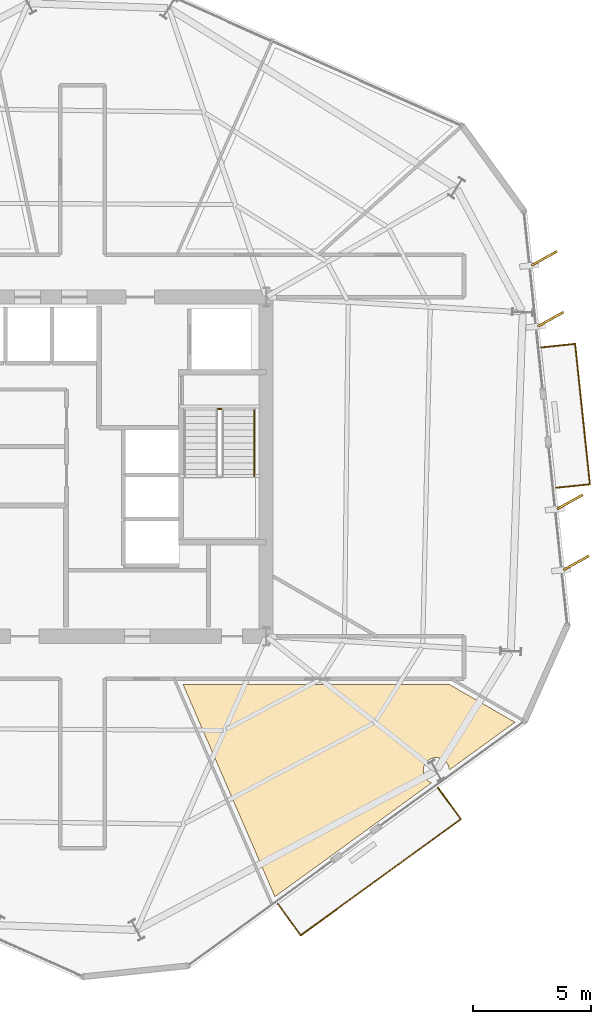
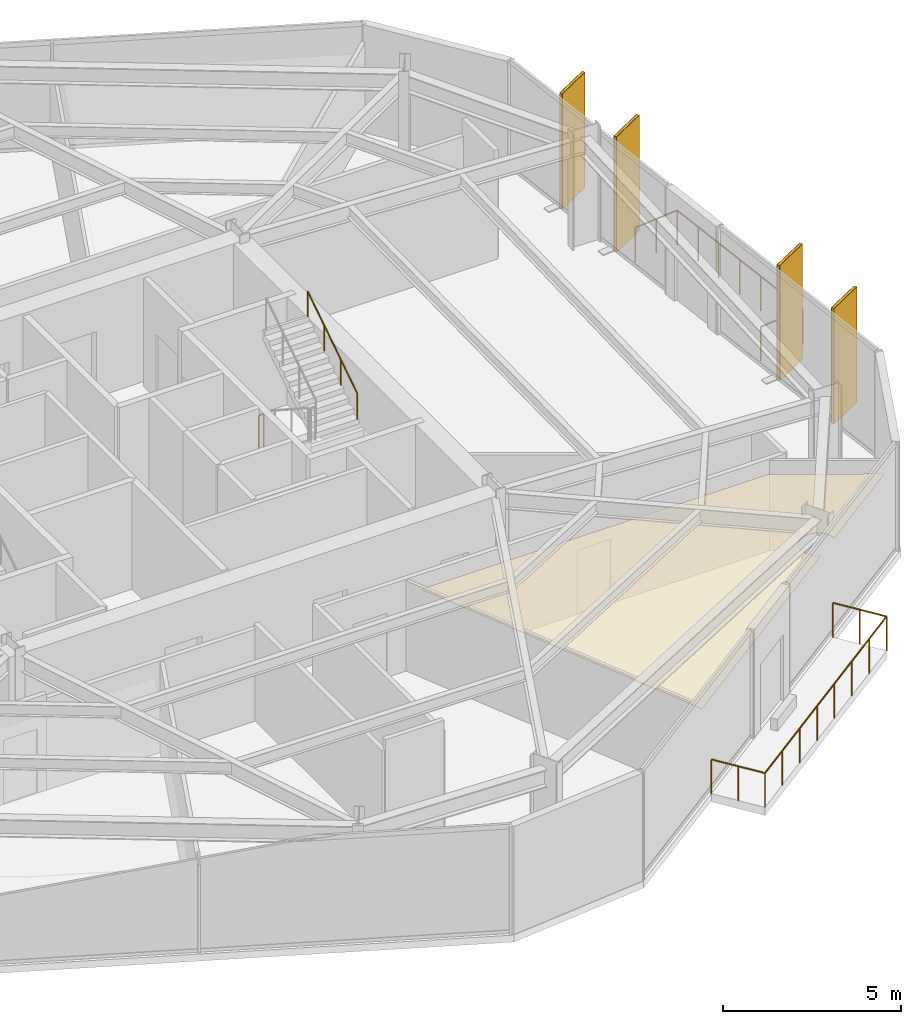
# One storey, part 11 of 12: 5 coverings, 4 railings, 4 shading devices.
"""IFC4 building model written with IfcOpenShell, lengths in metres."""

import ifcopenshell
import ifcopenshell.guid

model = None  # the IFC model being written
_history = None  # IfcOwnerHistory: only IFC2X3 demands one
_inside = {}  # id of a spatial element -> (the spatial element, [elements in it])
_under = {}  # id of a project, library or spatial element -> (it, [spatial elements below it])
_declared = {}  # id of a project -> (the project, [libraries it declares])
_typed = {}  # id of a type object -> (the type object, [elements of that type])
_made_of = {}  # id of a material, layer set ... -> (it, [elements and type objects made of it])


def new_model(schema):
    """Start an empty IFC model of exactly this schema.

    Asked for "IFC4X3", IfcOpenShell would pick the latest addendum, in which some entities
    have other attributes; the version numbers below select the first issue.
    IFC2X3 requires an IfcOwnerHistory on every rooted entity: one is made here for all.
    """
    global model, _history
    if schema == "IFC4X3":
        model = ifcopenshell.file(schema_version=(4, 3, 0, 0))
    else:
        model = ifcopenshell.file(schema=schema)
    _inside.clear()
    _under.clear()
    _declared.clear()
    _typed.clear()
    _made_of.clear()
    _history = None
    if model.schema == "IFC2X3":
        org = make("IfcOrganization", Name="unknown")
        user = make(
            "IfcPersonAndOrganization",
            ThePerson=make("IfcPerson", FamilyName="unknown"),
            TheOrganization=org,
        )
        app = make(
            "IfcApplication",
            ApplicationDeveloper=org,
            Version="unknown",
            ApplicationFullName="unknown",
            ApplicationIdentifier="unknown",
        )
        _history = make(
            "IfcOwnerHistory",
            OwningUser=user,
            OwningApplication=app,
            ChangeAction="ADDED",
            CreationDate=0,
        )
    return model


def make(cls, **values):
    """One entity of the class cls with the attributes given. An attribute that is None is left unset."""
    return model.create_entity(
        cls, **{name: value for name, value in values.items() if value is not None}
    )


def rooted(cls, **values):
    """An entity with a GlobalId (a new one), such as an element, a storey or a relation."""
    return make(cls, GlobalId=ifcopenshell.guid.new(), OwnerHistory=_history, **values)


def si_unit(unit_type, name, prefix=None):
    """IfcSIUnit, for example si_unit("LENGTHUNIT", "METRE", prefix="MILLI")."""
    return make("IfcSIUnit", UnitType=unit_type, Prefix=prefix, Name=name)


def assignment(units):
    """IfcUnitAssignment: the units of a project."""
    return None if units is None else make("IfcUnitAssignment", Units=units)


def point(xyz):
    """IfcCartesianPoint."""
    return None if xyz is None else make("IfcCartesianPoint", Coordinates=xyz)


def direction(xyz):
    """IfcDirection."""
    return None if xyz is None else make("IfcDirection", DirectionRatios=xyz)


def frame(location, z_axis=None, x_axis=None):
    """IfcAxis2Placement3D, a coordinate frame: its origin and axes. An axis left out is left unset."""
    return make(
        "IfcAxis2Placement3D",
        Location=point(location),
        Axis=direction(z_axis),
        RefDirection=direction(x_axis),
    )


def frame_2d(location, x_axis=None):
    """IfcAxis2Placement2D, a coordinate frame in the plane: its origin and x axis."""
    return make(
        "IfcAxis2Placement2D", Location=point(location), RefDirection=direction(x_axis)
    )


def origin():
    """The frame at (0, 0, 0) with its axes left unset."""
    return frame((0.0, 0.0, 0.0))


def origin_2d():
    """The frame at (0, 0) in the plane with its x axis left unset."""
    return frame_2d((0.0, 0.0))


def place(relative_to, where):
    """IfcLocalPlacement: puts the frame where relative to a parent placement (None: the world)."""
    return make(
        "IfcLocalPlacement", PlacementRelTo=relative_to, RelativePlacement=where
    )


def context(
    kind, dimensions, precision=None, world=None, true_north=None, identifier=None
):
    """IfcGeometricRepresentationContext, for example the 3D "Model" context."""
    return make(
        "IfcGeometricRepresentationContext",
        ContextIdentifier=identifier,
        ContextType=kind,
        CoordinateSpaceDimension=dimensions,
        Precision=precision,
        WorldCoordinateSystem=world,
        TrueNorth=true_north,
    )


def subcontext(parent, identifier, kind, view, scale=None):
    """IfcGeometricRepresentationSubContext, for example "Body" below "Model"."""
    return make(
        "IfcGeometricRepresentationSubContext",
        ContextIdentifier=identifier,
        ContextType=kind,
        ParentContext=parent,
        TargetScale=scale,
        TargetView=view,
    )


def project(units=None, contexts=None):
    """IfcProject with its units and contexts."""
    return rooted(
        "IfcProject",
        Name="project",
        RepresentationContexts=contexts,
        UnitsInContext=assignment(units),
    )


def spatial(cls, under=None, at=None, **own):
    """A site, building, storey or space (cls), placed at a placement, below another one or the project."""
    s = rooted(cls, ObjectPlacement=at, **own)
    if under is not None:
        _under.setdefault(under.id(), (under, []))[1].append(s)
    return s


def polyline(points):
    """IfcPolyline through the points."""
    return make("IfcPolyline", Points=[point(p) for p in points])


def profile(cls, at=None, kind="AREA", **sizes):
    """A parametric profile (cls). Its sizes go by their IFC names, for example OverallWidth=200.0."""
    return make(cls, ProfileType=kind, Position=at, **sizes)


def rectangle(**sizes):
    """IfcRectangleProfileDef."""
    return profile("IfcRectangleProfileDef", **sizes)


def circle(**sizes):
    """IfcCircleProfileDef."""
    return profile("IfcCircleProfileDef", **sizes)


def outline(outer, holes=None, kind="AREA"):
    """IfcArbitraryClosedProfileDef: a profile drawn as a closed curve; with holes, ...WithVoids."""
    if holes is None:
        return make("IfcArbitraryClosedProfileDef", ProfileType=kind, OuterCurve=outer)
    return make(
        "IfcArbitraryProfileDefWithVoids",
        ProfileType=kind,
        OuterCurve=outer,
        InnerCurves=holes,
    )


def extrude(swept, where, along, depth):
    """IfcExtrudedAreaSolid: the profile swept, set in the frame where, extruded along a direction by depth."""
    return make(
        "IfcExtrudedAreaSolid",
        SweptArea=swept,
        Position=where,
        ExtrudedDirection=direction(along),
        Depth=depth,
    )


def shape(context_of_items, identifier, shape_type, items):
    """IfcShapeRepresentation: the items that make up one representation, for example the "Body"."""
    return make(
        "IfcShapeRepresentation",
        ContextOfItems=context_of_items,
        RepresentationIdentifier=identifier,
        RepresentationType=shape_type,
        Items=items,
    )


def material(Name=None, Category=None):
    """IfcMaterial."""
    return make("IfcMaterial", Name=Name, Category=Category)


def layer(
    of_material, thickness, ventilated=None, Name=None, Category=None, Priority=None
):
    """IfcMaterialLayer: one layer of a wall or slab, of a material (None: an air gap)."""
    return make(
        "IfcMaterialLayer",
        Material=of_material,
        LayerThickness=thickness,
        IsVentilated=ventilated,
        Name=Name,
        Category=Category,
        Priority=Priority,
    )


def layer_set(layers, Name=None):
    """IfcMaterialLayerSet."""
    return make("IfcMaterialLayerSet", MaterialLayers=layers, LayerSetName=Name)


def made_of(thing, what):
    """Note that an element or type object is made of a material, layer set ...; save() writes the relation."""
    if what is not None:
        _made_of.setdefault(what.id(), (what, []))[1].append(thing)
    return thing


def type_object(cls, material=None, **own):
    """A type object (cls), such as IfcWallType, which elements share."""
    return made_of(rooted(cls, **own), material)


def element(
    cls,
    number,
    at=None,
    inside=None,
    cuts=None,
    type_object=None,
    material=None,
    context=None,
    identifier="Body",
    shape_type=None,
    held_by="IfcProductDefinitionShape",
    body=None,
    shapes=None,
    **own,
):
    """One element of the class cls, such as IfcWall. Its Tag is "e" and its number.

    at: its placement. inside: the storey or other place that contains it. cuts: it is an
    opening in that element (IfcRelVoidsElement). A single representation is given by context,
    identifier, shape_type and body (its items); several are given by shapes. held_by: the class
    of the entity that holds the representations. save() writes the other relations.
    """
    e = rooted(cls, Tag="e%d" % number, ObjectPlacement=at, **own)
    if body is not None:
        shapes = [shape(context, identifier, shape_type, body)]
    if shapes is not None:
        e.Representation = make(held_by, Representations=shapes)
    if inside is not None:
        _inside.setdefault(inside.id(), (inside, []))[1].append(e)
    if cuts is not None:
        rooted(
            "IfcRelVoidsElement", RelatingBuildingElement=cuts, RelatedOpeningElement=e
        )
    if type_object is not None:
        _typed.setdefault(type_object.id(), (type_object, []))[1].append(e)
    return made_of(e, material)


def aggregate(whole, parts):
    """IfcRelAggregates: a whole, such as a stair, and the parts it consists of."""
    return rooted("IfcRelAggregates", RelatingObject=whole, RelatedObjects=parts)


def save(model, path):
    """Write the relations noted so far, then the file.

    IfcRelAggregates (storeys below a building ...), IfcRelContainedInSpatialStructure (elements
    in a storey), IfcRelDefinesByType, IfcRelAssociatesMaterial and IfcRelDeclares: one each for
    every whole, place, type object, material and project.
    """
    for whole, parts in _under.values():
        aggregate(whole, parts)
    for where, things in _inside.values():
        rooted(
            "IfcRelContainedInSpatialStructure",
            RelatedElements=things,
            RelatingStructure=where,
        )
    for kind, things in _typed.values():
        rooted("IfcRelDefinesByType", RelatedObjects=things, RelatingType=kind)
    for what, things in _made_of.values():
        rooted("IfcRelAssociatesMaterial", RelatedObjects=things, RelatingMaterial=what)
    for by, libraries in _declared.values():
        rooted("IfcRelDeclares", RelatingContext=by, RelatedDefinitions=libraries)
    model.write(path)


model = new_model("IFC4")

# Units and contexts
model_context = context("Model", 3, precision=1e-05, world=origin(), true_north=direction((0.0, 1.0)))
body_context = subcontext(model_context, "Body", "Model", "MODEL_VIEW")
ifc_project = project(units=[si_unit("LENGTHUNIT", "METRE"), si_unit("AREAUNIT", "SQUARE_METRE"), si_unit("VOLUMEUNIT", "CUBIC_METRE"), si_unit("PLANEANGLEUNIT", "RADIAN"), si_unit("MASSUNIT", "GRAM", prefix="KILO")], contexts=[model_context])

# Site, building, storey
site_placement = place(None, origin())
site = spatial("IfcSite", under=ifc_project, at=site_placement, CompositionType="ELEMENT")
building_placement = place(site_placement, origin())
building = spatial("IfcBuilding", under=site, at=building_placement, Name="Kranzbogen Civic Tower", CompositionType="ELEMENT")
storey_placement = place(building_placement, frame((0.0, 0.0, 166.39990234375)))
storey = spatial("IfcBuildingStorey", under=building, at=storey_placement, Name="L40", CompositionType="ELEMENT", Elevation=166.39990234375)

# Coverings
ifc_material_1 = material(Name="Pale Anodised Aluminium", Category="aluminium")
ifc_layer_1 = layer(ifc_material_1, 0.02490234375, Name="Pale Anodised Aluminium")
ifc_layer_set_1 = layer_set([ifc_layer_1], Name="Pale Anodised Aluminium")
covering_type_1 = type_object("IfcCoveringType", Name="Anodised Aluminium Vertical Fin Cladding 25 mm", PredefinedType="CLADDING", material=ifc_layer_set_1)
for number, where, z_axis, x_axis, name in (
    (1, (45.967041015625, 20.9140625, -0.139892578125), (0.0, 0.0, 1.0), (0.874501219693, 0.485023315682, 0.0), "L40 vertical fin pale-metal cladding F6-1"),
    (2, (45.695068359375, 23.5, -0.139892578125), (0.0, 0.0, 1.0), (0.874501219693, 0.485023315682, 0.0), "L40 vertical fin pale-metal cladding F6-2"),
    (3, (44.8798828125, 31.257080078125, -0.139892578125), (0.0, 0.0, 1.0), (0.874501219693, 0.485023315682, 0.0), "L40 vertical fin pale-metal cladding F6-5"),
    (4, (44.60888671875, 33.843017578125, -0.139892578125), (0.0, 0.0, 1.0), (0.874501219693, 0.485023315682, 0.0), "L40 vertical fin pale-metal cladding F6-6"),
):
    element("IfcCovering", number, at=place(storey_placement, frame(where, z_axis=z_axis, x_axis=x_axis)), inside=storey, type_object=covering_type_1, Name=name, PredefinedType="CLADDING", context=body_context, shape_type="SweptSolid", body=[
        extrude(rectangle(XDim=1.25, YDim=0.10009765625, at=origin_2d()), origin(), (0.0, 0.0, 1.0), 3.9599609375),
    ])

# Shading devices
ifc_material_2 = material(Name="Anodised Bronze Aluminium", Category="aluminium")
shading_device_type = type_object("IfcShadingDeviceType", Name="Anodised Bronze Vertical Facade Fin 1250x80", PredefinedType="USERDEFINED", material=ifc_material_2)
for number, where, z_axis, x_axis, name in (
    (5, (45.967041015625, 20.9140625, -0.139892578125), (0.0, 0.0, 1.0), (0.874501219693, 0.485023315682, 0.0), "L40 vertical exterior shading fin F6-1"),
    (6, (45.695068359375, 23.5, -0.139892578125), (0.0, 0.0, 1.0), (0.874501219693, 0.485023315682, 0.0), "L40 vertical exterior shading fin F6-2"),
    (7, (44.8798828125, 31.257080078125, -0.139892578125), (0.0, 0.0, 1.0), (0.874501219693, 0.485023315682, 0.0), "L40 vertical exterior shading fin F6-5"),
    (8, (44.60888671875, 33.843017578125, -0.139892578125), (0.0, 0.0, 1.0), (0.874501219693, 0.485023315682, 0.0), "L40 vertical exterior shading fin F6-6"),
):
    element("IfcShadingDevice", number, at=place(storey_placement, frame(where, z_axis=z_axis, x_axis=x_axis)), inside=storey, type_object=shading_device_type, Name=name, ObjectType="FIN", PredefinedType="USERDEFINED", context=body_context, shape_type="SweptSolid", body=[
        extrude(rectangle(XDim=1.25, YDim=0.080078125, at=origin_2d()), origin(), (0.0, 0.0, 1.0), 3.9599609375),
    ])

# Railings
railing_type_1 = type_object("IfcRailingType", Name="Cantilevered Balcony Glass and Bronze Balustrade 1200", PredefinedType="BALUSTRADE", material=ifc_material_2)
railing_1_placement = place(storey_placement, frame((45.10498046875, 24.096923828125, 0.0)))
element("IfcRailing", 9, at=railing_1_placement, inside=storey, type_object=railing_type_1, Name="L40 exterior terrace balustrade L40-TB2", PredefinedType="BALUSTRADE", context=body_context, shape_type="SweptSolid", body=[
    extrude(circle(Radius=0.02392578125, at=origin_2d()), frame((0.0, 0.0, 1.17578125), z_axis=(0.994484214912, 0.104886349397, 0.0), x_axis=(-0.104886349397, 0.994484214912, 0.0)), (0.0, 0.0, 1.0), 1.4501953125),
    extrude(circle(Radius=0.02392578125, at=origin_2d()), frame((1.442138671875, 0.152099609375, 1.17578125), z_axis=(-0.104695375061, 0.99450433807, 0.0), x_axis=(-0.99450433807, -0.104695375061, 0.0)), (0.0, 0.0, 1.0), 6.0),
    extrude(circle(Radius=0.02392578125, at=origin_2d()), frame((0.81396484375, 6.119140625, 1.17578125), z_axis=(-0.994482362328, -0.104903913263, 0.0), x_axis=(0.104903913263, -0.994482362328, 0.0)), (0.0, 0.0, 1.0), 1.449951171875),
    extrude(circle(Radius=0.02099609375, at=origin_2d()), origin(), (0.0, 0.0, 1.0), 1.15185546875),
    extrude(circle(Radius=0.02099609375, at=origin_2d()), frame((0.72119140625, 0.076171875, 0.0)), (0.0, 0.0, 1.0), 1.15185546875),
    extrude(circle(Radius=0.02099609375, at=origin_2d()), frame((1.442138671875, 0.152099609375, 0.0)), (0.0, 0.0, 1.0), 1.15185546875),
    extrude(circle(Radius=0.02099609375, at=origin_2d()), frame((1.33740234375, 1.146484375, 0.0)), (0.0, 0.0, 1.0), 1.15185546875),
    extrude(circle(Radius=0.02099609375, at=origin_2d()), frame((1.232666015625, 2.14111328125, 0.0)), (0.0, 0.0, 1.0), 1.15185546875),
    extrude(circle(Radius=0.02099609375, at=origin_2d()), frame((1.1279296875, 3.1357421875, 0.0)), (0.0, 0.0, 1.0), 1.15185546875),
    extrude(circle(Radius=0.02099609375, at=origin_2d()), frame((1.0234375, 4.130126953125, 0.0)), (0.0, 0.0, 1.0), 1.15185546875),
    extrude(circle(Radius=0.02099609375, at=origin_2d()), frame((0.918701171875, 5.12451171875, 0.0)), (0.0, 0.0, 1.0), 1.15185546875),
    extrude(circle(Radius=0.02099609375, at=origin_2d()), frame((0.81396484375, 6.119140625, 0.0)), (0.0, 0.0, 1.0), 1.15185546875),
    extrude(circle(Radius=0.02099609375, at=origin_2d()), frame((0.093017578125, 6.04296875, 0.0)), (0.0, 0.0, 1.0), 1.15185546875),
    extrude(circle(Radius=0.02099609375, at=origin_2d()), frame((-0.6279296875, 5.967041015625, 0.0)), (0.0, 0.0, 1.0), 1.15185546875),
])
railing_2_placement = place(storey_placement, frame((33.299072265625, 6.431884765625, 0.0)))
element("IfcRailing", 10, at=railing_2_placement, inside=storey, type_object=railing_type_1, Name="L40 exterior terrace balustrade L40-ST", PredefinedType="BALUSTRADE", context=body_context, shape_type="SweptSolid", body=[
    extrude(circle(Radius=0.02392578125, at=origin_2d()), frame((0.0, 0.0, 1.17578125), z_axis=(0.587810957632, -0.808998317728, 0.0), x_axis=(0.808998317728, 0.587810957632, 0.0)), (0.0, 0.0, 1.0), 1.650146484375),
    extrude(circle(Radius=0.02392578125, at=origin_2d()), frame((0.969970703125, -1.3349609375, 1.17578125), z_axis=(0.809045158194, 0.587746486169, 0.0), x_axis=(-0.587746486169, 0.809045158194, 0.0)), (0.0, 0.0, 1.0), 8.39990234375),
    extrude(circle(Radius=0.02392578125, at=origin_2d()), frame((7.765869140625, 3.60205078125, 1.17578125), z_axis=(-0.587810957632, 0.808998317728, 0.0), x_axis=(-0.808998317728, -0.587810957632, 0.0)), (0.0, 0.0, 1.0), 1.650146484375),
    extrude(circle(Radius=0.02099609375, at=origin_2d()), origin(), (0.0, 0.0, 1.0), 1.15185546875),
    extrude(circle(Radius=0.02099609375, at=origin_2d()), frame((0.48486328125, -0.66748046875, 0.0)), (0.0, 0.0, 1.0), 1.15185546875),
    extrude(circle(Radius=0.02099609375, at=origin_2d()), frame((0.969970703125, -1.3349609375, 0.0)), (0.0, 0.0, 1.0), 1.15185546875),
    extrude(circle(Radius=0.02099609375, at=origin_2d()), frame((1.94091796875, -0.629638671875, 0.0)), (0.0, 0.0, 1.0), 1.15185546875),
    extrude(circle(Radius=0.02099609375, at=origin_2d()), frame((2.91162109375, 0.07568359375, 0.0)), (0.0, 0.0, 1.0), 1.15185546875),
    extrude(circle(Radius=0.02099609375, at=origin_2d()), frame((3.882568359375, 0.781005859375, 0.0)), (0.0, 0.0, 1.0), 1.15185546875),
    extrude(circle(Radius=0.02099609375, at=origin_2d()), frame((4.853271484375, 1.486083984375, 0.0)), (0.0, 0.0, 1.0), 1.15185546875),
    extrude(circle(Radius=0.02099609375, at=origin_2d()), frame((5.82421875, 2.19140625, 0.0)), (0.0, 0.0, 1.0), 1.15185546875),
    extrude(circle(Radius=0.02099609375, at=origin_2d()), frame((6.794921875, 2.896728515625, 0.0)), (0.0, 0.0, 1.0), 1.15185546875),
    extrude(circle(Radius=0.02099609375, at=origin_2d()), frame((7.765869140625, 3.60205078125, 0.0)), (0.0, 0.0, 1.0), 1.15185546875),
    extrude(circle(Radius=0.02099609375, at=origin_2d()), frame((7.28076171875, 4.26953125, 0.0)), (0.0, 0.0, 1.0), 1.15185546875),
    extrude(circle(Radius=0.02099609375, at=origin_2d()), frame((6.7958984375, 4.93701171875, 0.0)), (0.0, 0.0, 1.0), 1.15185546875),
])
ifc_material_3 = material(Name="Steel S355", Category="steel")
railing_type_2 = type_object("IfcRailingType", Name="Internal Stair and Void Steel Guardrail 1150", PredefinedType="GUARDRAIL", material=ifc_material_3)
railing_3_placement = place(storey_placement, frame((30.75, 27.449951171875, 0.0)))
element("IfcRailing", 11, at=railing_3_placement, inside=storey, type_object=railing_type_2, Name="L40 ST-T2 stair guard 4", PredefinedType="GUARDRAIL", context=body_context, shape_type="SweptSolid", body=[
    extrude(circle(Radius=0.02392578125, at=origin_2d()), frame((0.0, 0.0, 1.1259765625), z_axis=(1.0, 0.0, 0.0), x_axis=(0.0, 1.0, 0.0)), (0.0, 0.0, 1.0), 0.14990234375),
    extrude(circle(Radius=0.02099609375, at=origin_2d()), origin(), (0.0, 0.0, 1.0), 1.101806640625),
    extrude(circle(Radius=0.02099609375, at=origin_2d()), frame((0.14990234375, 0.0, 0.0)), (0.0, 0.0, 1.0), 1.101806640625),
])

# Covering
ifc_material_4 = material(Name="Perforated Acoustic Gypsum Ceiling")
ifc_layer_2 = layer(ifc_material_4, 0.02490234375, Name="Perforated Acoustic Gypsum Ceiling")
ifc_layer_set_2 = layer_set([ifc_layer_2], Name="Perforated Acoustic Gypsum Ceiling")
covering_type_2 = type_object("IfcCoveringType", Name="Perforated Acoustic Mineral Ceiling Tile 25 mm", PredefinedType="CEILING", material=ifc_layer_set_2)
covering_placement = place(storey_placement, frame((0.0, 0.0, 2.75)))
element("IfcCovering", 12, at=covering_placement, inside=storey, type_object=covering_type_2, Name="L40 Delegates Sitting Lounge acoustic ceiling", PredefinedType="CEILING", context=body_context, shape_type="SweptSolid", body=[
    extrude(outline(polyline([(29.26904296875, 15.7548828125), (40.571044921875, 15.7548828125), (43.364013671875, 14.14697265625), (40.575927734375, 12.12109375), (40.574951171875, 12.14599609375), (40.56689453125, 12.199951171875), (40.552978515625, 12.2529296875), (40.534912109375, 12.303955078125), (40.511962890625, 12.35302734375), (40.48388671875, 12.39990234375), (40.451904296875, 12.444091796875), (40.4150390625, 12.48388671875), (40.375, 12.52099609375), (40.3310546875, 12.552978515625), (40.283935546875, 12.5810546875), (40.235107421875, 12.60400390625), (40.18408203125, 12.6220703125), (40.131103515625, 12.635986328125), (40.076904296875, 12.64404296875), (40.02294921875, 12.64599609375), (39.968994140625, 12.64404296875), (39.9150390625, 12.635986328125), (39.862060546875, 12.6220703125), (39.81103515625, 12.60400390625), (39.761962890625, 12.5810546875), (39.715087890625, 12.552978515625), (39.6708984375, 12.52099609375), (39.631103515625, 12.48388671875), (39.593994140625, 12.444091796875), (39.56201171875, 12.39990234375), (39.533935546875, 12.35302734375), (39.510986328125, 12.303955078125), (39.492919921875, 12.2529296875), (39.47900390625, 12.199951171875), (39.470947265625, 12.14599609375), (39.468994140625, 12.092041015625), (39.470947265625, 12.0380859375), (39.47900390625, 11.98388671875), (39.492919921875, 11.930908203125), (39.510986328125, 11.8798828125), (39.533935546875, 11.8310546875), (39.56201171875, 11.783935546875), (39.593994140625, 11.739990234375), (39.631103515625, 11.699951171875), (39.6708984375, 11.6630859375), (39.715087890625, 11.631103515625), (39.761962890625, 11.60302734375), (39.81103515625, 11.580078125), (39.824951171875, 11.574951171875), (33.1708984375, 6.739990234375), (29.26904296875, 15.7548828125)])), origin(), (0.0, 0.0, 1.0), 0.025146484375),
])

# Railing
railing_type_3 = type_object("IfcRailingType", Name="Tubular Stainless Stair Wall Handrail 900", PredefinedType="HANDRAIL", material=ifc_material_1)
railing_4_placement = place(storey_placement, frame((32.300048828125, 24.60009765625, 2.181884765625)))
element("IfcRailing", 13, at=railing_4_placement, inside=storey, type_object=railing_type_3, Name="L40 ST-T2 stair handrail 2", PredefinedType="HANDRAIL", context=body_context, shape_type="SweptSolid", body=[
    extrude(circle(Radius=0.02392578125, at=origin_2d()), frame((0.0, 0.0, 0.8759765625), z_axis=(0.0, 0.83868413941, 0.544618136222), x_axis=(-1.0, 0.0, 0.0)), (0.0, 0.0, 1.0), 3.33837890625),
    extrude(circle(Radius=0.02099609375, at=origin_2d()), origin(), (0.0, 0.0, 1.0), 0.851806640625),
    extrude(circle(Radius=0.02099609375, at=origin_2d()), frame((0.0, 0.933349609375, 0.60595703125)), (0.0, 0.0, 1.0), 0.851806640625),
    extrude(circle(Radius=0.02099609375, at=origin_2d()), frame((0.0, 1.866455078125, 1.212158203125)), (0.0, 0.0, 1.0), 0.851806640625),
    extrude(circle(Radius=0.02099609375, at=origin_2d()), frame((0.0, 2.7998046875, 1.818115234375)), (0.0, 0.0, 1.0), 0.851806640625),
])

save(model, "model.ifc")
